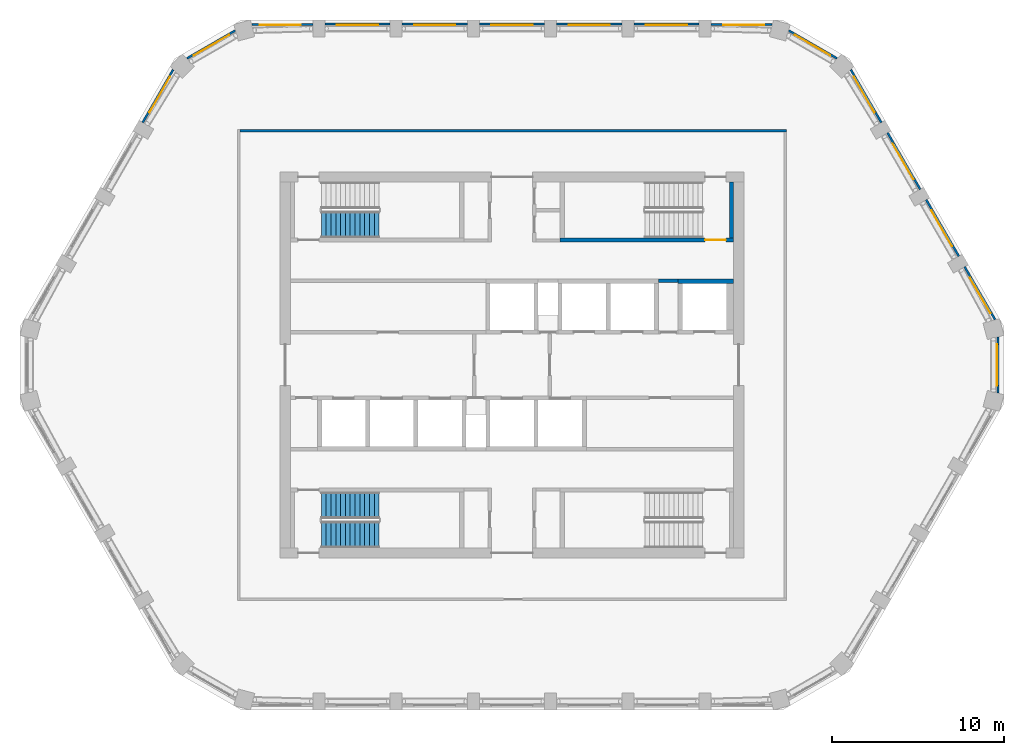
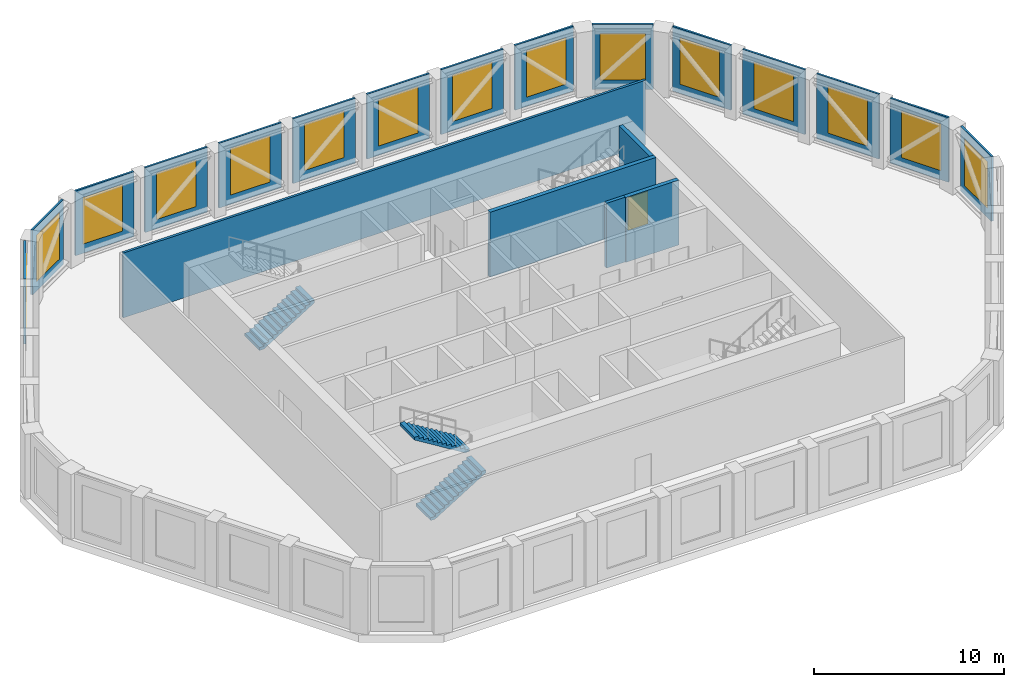
# One storey, part 6 of 14: 20 walls, 15 windows, 3 stair flights, 1 door, 16 openings, 2 elements without a shape of their own.
"""IFC4 building model written with IfcOpenShell, lengths in metres."""

from ifc_helpers import new_model, si_unit, direction, frame, frame_2d, origin, place, context, subcontext, project, spatial, polyline, rectangle, outline, extrude, material, layer, layer_set, type_object, element, fill, aggregate, save


model = new_model("IFC4")

# Units and contexts
model_context = context("Model", 3, precision=1e-05, world=origin(), true_north=direction((0.0, 1.0)))
body_context = subcontext(model_context, "Body", "Model", "MODEL_VIEW")
ifc_project = project(units=[si_unit("LENGTHUNIT", "METRE"), si_unit("AREAUNIT", "SQUARE_METRE"), si_unit("VOLUMEUNIT", "CUBIC_METRE"), si_unit("PLANEANGLEUNIT", "RADIAN"), si_unit("MASSUNIT", "GRAM", prefix="KILO")], contexts=[model_context])

# Site, building, storey
site_placement = place(None, origin())
site = spatial("IfcSite", under=ifc_project, at=site_placement, CompositionType="ELEMENT")
building_placement = place(site_placement, origin())
building = spatial("IfcBuilding", under=site, at=building_placement, Name="Dhurran Vertical Campus", CompositionType="ELEMENT")
storey_placement = place(building_placement, frame((0.0, 0.0, 282.0)))
storey = spatial("IfcBuildingStorey", under=building, at=storey_placement, Name="L70 Plant", CompositionType="ELEMENT", Elevation=282.0)

# Wall, opening, window
ifc_material_1 = material(Name="Precast concrete C50/60", Category="concrete")
ifc_layer_1 = layer(ifc_material_1, 0.1201171875)
ifc_layer_set_1 = layer_set([ifc_layer_1], Name="Precast concrete C50/60")
wall_type_1 = type_object("IfcWallType", Name="Precast louvre-bay panel 120", PredefinedType="SOLIDWALL", material=ifc_layer_set_1)
wall_1_placement = place(storey_placement, frame((28.297607421875, -1.622314453125, 0.0), z_axis=(0.0, 0.0, 1.0), x_axis=(0.0, 1.0, 0.0)))
wall_1 = element("IfcWall", 1, at=wall_1_placement, inside=storey, type_object=wall_type_1, Name="EW4 L70.12", PredefinedType="SOLIDWALL", context=body_context, shape_type="SweptSolid", body=[
    extrude(rectangle(XDim=3.24462890625, YDim=0.1201171875, at=frame_2d((1.622314453125, 0.0))), origin(), (0.0, 0.0, 1.0), 4.175048828125),
])
opening_1_placement = place(wall_1_placement, frame((0.42236328125, 0.0, 0.60009765625)))
opening_1 = element("IfcOpeningElement", 2, at=opening_1_placement, cuts=wall_1, Name="Opening WT4", PredefinedType="OPENING", context=body_context, shape_type="SweptSolid", body=[
    extrude(rectangle(XDim=2.39990234375, YDim=3.0, at=frame_2d((1.199951171875, 1.5))), frame((0.0, 0.070068359375, 0.0), z_axis=(0.0, -1.0, 0.0), x_axis=(1.0, 0.0, 0.0)), (0.0, 0.0, 1.0), 0.14013671875),
])
ifc_material_2 = material(Name="Aluminium louvre", Category="aluminium")
window_type = type_object("IfcWindowType", Name="Louvred plant vent 2400 x 3000", PartitioningType="SINGLE_PANEL", PredefinedType="WINDOW", material=ifc_material_2)
window_1_placement = place(opening_1_placement, origin())
window_1 = element("IfcWindow", 3, at=window_1_placement, inside=storey, type_object=window_type, Name="WT4 L70.12", OverallHeight=3.0, OverallWidth=2.39990234375, PartitioningType="SINGLE_PANEL", PredefinedType="WINDOW", context=body_context, shape_type="SweptSolid", body=[
    extrude(rectangle(XDim=2.39990234375, YDim=3.0, at=frame_2d((1.199951171875, 1.5))), frame((0.0, 0.06005859375, 0.0), z_axis=(0.0, -1.0, 0.0), x_axis=(1.0, 0.0, 0.0)), (0.0, 0.0, 1.0), 0.02001953125),
])
fill(opening_1, window_1)

wall_2_placement = place(storey_placement, frame((28.12890625, 2.64501953125, 0.0), z_axis=(0.0, 0.0, 1.0), x_axis=(-0.499994435258, 0.866028616566, 0.0)))
wall_2 = element("IfcWall", 4, at=wall_2_placement, inside=storey, type_object=wall_type_1, Name="EW4 L70.13", PredefinedType="SOLIDWALL", context=body_context, shape_type="SweptSolid", body=[
    extrude(rectangle(XDim=3.54833984375, YDim=0.1201171875, at=frame_2d((1.774169921875, 0.0))), origin(), (0.0, 0.0, 1.0), 4.175048828125),
])
opening_2_placement = place(wall_2_placement, frame((0.44873046875, 0.0, 0.60009765625)))
opening_2 = element("IfcOpeningElement", 5, at=opening_2_placement, cuts=wall_2, Name="Opening WT4", PredefinedType="OPENING", context=body_context, shape_type="SweptSolid", body=[
    extrude(rectangle(XDim=2.39990234375, YDim=3.0, at=frame_2d((1.199951171875, 1.5))), frame((0.0, 0.070068359375, 0.0), z_axis=(0.0, -1.0, 0.0), x_axis=(1.0, 0.0, 0.0)), (0.0, 0.0, 1.0), 0.14013671875),
])
window_2_placement = place(opening_2_placement, origin())
window_2 = element("IfcWindow", 6, at=window_2_placement, inside=storey, type_object=window_type, Name="WT4 L70.13", OverallHeight=3.0, OverallWidth=2.39990234375, PartitioningType="SINGLE_PANEL", PredefinedType="WINDOW", context=body_context, shape_type="SweptSolid", body=[
    extrude(rectangle(XDim=2.39990234375, YDim=3.0, at=frame_2d((1.199951171875, 1.5))), frame((0.0, 0.06005859375, 0.0), z_axis=(0.0, -1.0, 0.0), x_axis=(1.0, 0.0, 0.0)), (0.0, 0.0, 1.0), 0.02001953125),
])
fill(opening_2, window_2)

wall_3_placement = place(storey_placement, frame((26.0166015625, 6.332275390625, 0.0), z_axis=(0.0, 0.0, 1.0), x_axis=(-0.499982058975, 0.866035761792, 0.0)))
wall_3 = element("IfcWall", 7, at=wall_3_placement, inside=storey, type_object=wall_type_1, Name="EW4 L70.14", PredefinedType="SOLIDWALL", context=body_context, shape_type="SweptSolid", body=[
    extrude(rectangle(XDim=3.799072265625, YDim=0.1201171875, at=frame_2d((1.8994140625, 0.0))), origin(), (0.0, 0.0, 1.0), 4.175048828125),
])
opening_3_placement = place(wall_3_placement, frame((0.699462890625, 0.0, 0.60009765625)))
opening_3 = element("IfcOpeningElement", 8, at=opening_3_placement, cuts=wall_3, Name="Opening WT4", PredefinedType="OPENING", context=body_context, shape_type="SweptSolid", body=[
    extrude(rectangle(XDim=2.39990234375, YDim=3.0, at=frame_2d((1.199951171875, 1.5))), frame((0.0, 0.070068359375, 0.0), z_axis=(0.0, -1.0, 0.0), x_axis=(1.0, 0.0, 0.0)), (0.0, 0.0, 1.0), 0.14013671875),
])
window_3_placement = place(opening_3_placement, origin())
window_3 = element("IfcWindow", 9, at=window_3_placement, inside=storey, type_object=window_type, Name="WT4 L70.14", OverallHeight=3.0, OverallWidth=2.39990234375, PartitioningType="SINGLE_PANEL", PredefinedType="WINDOW", context=body_context, shape_type="SweptSolid", body=[
    extrude(rectangle(XDim=2.39990234375, YDim=3.0, at=frame_2d((1.199951171875, 1.5))), frame((0.0, 0.06005859375, 0.0), z_axis=(0.0, -1.0, 0.0), x_axis=(1.0, 0.0, 0.0)), (0.0, 0.0, 1.0), 0.02001953125),
])
fill(opening_3, window_3)

wall_4_placement = place(storey_placement, frame((23.7666015625, 10.229248046875, 0.0), z_axis=(0.0, 0.0, 1.0), x_axis=(-0.499982058975, 0.866035761792, 0.0)))
wall_4 = element("IfcWall", 10, at=wall_4_placement, inside=storey, type_object=wall_type_1, Name="EW4 L70.15", PredefinedType="SOLIDWALL", context=body_context, shape_type="SweptSolid", body=[
    extrude(rectangle(XDim=3.799072265625, YDim=0.1201171875, at=frame_2d((1.8994140625, 0.0))), origin(), (0.0, 0.0, 1.0), 4.175048828125),
])
opening_4_placement = place(wall_4_placement, frame((0.699462890625, 0.0, 0.60009765625)))
opening_4 = element("IfcOpeningElement", 11, at=opening_4_placement, cuts=wall_4, Name="Opening WT4", PredefinedType="OPENING", context=body_context, shape_type="SweptSolid", body=[
    extrude(rectangle(XDim=2.39990234375, YDim=3.0, at=frame_2d((1.199951171875, 1.5))), frame((0.0, 0.070068359375, 0.0), z_axis=(0.0, -1.0, 0.0), x_axis=(1.0, 0.0, 0.0)), (0.0, 0.0, 1.0), 0.14013671875),
])
window_4_placement = place(opening_4_placement, origin())
window_4 = element("IfcWindow", 12, at=window_4_placement, inside=storey, type_object=window_type, Name="WT4 L70.15", OverallHeight=3.0, OverallWidth=2.39990234375, PartitioningType="SINGLE_PANEL", PredefinedType="WINDOW", context=body_context, shape_type="SweptSolid", body=[
    extrude(rectangle(XDim=2.39990234375, YDim=3.0, at=frame_2d((1.199951171875, 1.5))), frame((0.0, 0.06005859375, 0.0), z_axis=(0.0, -1.0, 0.0), x_axis=(1.0, 0.0, 0.0)), (0.0, 0.0, 1.0), 0.02001953125),
])
fill(opening_4, window_4)

wall_5_placement = place(storey_placement, frame((21.504150390625, 14.119140625, 0.0), z_axis=(0.0, 0.0, 1.0), x_axis=(-0.499994435258, 0.866028616566, 0.0)))
wall_5 = element("IfcWall", 13, at=wall_5_placement, inside=storey, type_object=wall_type_1, Name="EW4 L70.16", PredefinedType="SOLIDWALL", context=body_context, shape_type="SweptSolid", body=[
    extrude(rectangle(XDim=3.54833984375, YDim=0.1201171875, at=frame_2d((1.774169921875, 0.0))), origin(), (0.0, 0.0, 1.0), 4.175048828125),
])
opening_5_placement = place(wall_5_placement, frame((0.699462890625, 0.0, 0.60009765625)))
opening_5 = element("IfcOpeningElement", 14, at=opening_5_placement, cuts=wall_5, Name="Opening WT4", PredefinedType="OPENING", context=body_context, shape_type="SweptSolid", body=[
    extrude(rectangle(XDim=2.39990234375, YDim=3.0, at=frame_2d((1.199951171875, 1.5))), frame((0.0, 0.070068359375, 0.0), z_axis=(0.0, -1.0, 0.0), x_axis=(1.0, 0.0, 0.0)), (0.0, 0.0, 1.0), 0.14013671875),
])
window_5_placement = place(opening_5_placement, origin())
window_5 = element("IfcWindow", 15, at=window_5_placement, inside=storey, type_object=window_type, Name="WT4 L70.16", OverallHeight=3.0, OverallWidth=2.39990234375, PartitioningType="SINGLE_PANEL", PredefinedType="WINDOW", context=body_context, shape_type="SweptSolid", body=[
    extrude(rectangle(XDim=2.39990234375, YDim=3.0, at=frame_2d((1.199951171875, 1.5))), frame((0.0, 0.06005859375, 0.0), z_axis=(0.0, -1.0, 0.0), x_axis=(1.0, 0.0, 0.0)), (0.0, 0.0, 1.0), 0.02001953125),
])
fill(opening_5, window_5)

wall_6_placement = place(storey_placement, frame((18.928955078125, 17.849853515625, 0.0), z_axis=(0.0, 0.0, 1.0), x_axis=(-0.866035229914, 0.499982980259, 0.0)))
wall_6 = element("IfcWall", 16, at=wall_6_placement, inside=storey, type_object=wall_type_1, Name="EW4 L70.17", PredefinedType="SOLIDWALL", context=body_context, shape_type="SweptSolid", body=[
    extrude(rectangle(XDim=3.24462890625, YDim=0.1201171875, at=frame_2d((1.622314453125, 0.0))), origin(), (0.0, 0.0, 1.0), 4.175048828125),
])
opening_6_placement = place(wall_6_placement, frame((0.42236328125, 0.0, 0.60009765625)))
opening_6 = element("IfcOpeningElement", 17, at=opening_6_placement, cuts=wall_6, Name="Opening WT4", PredefinedType="OPENING", context=body_context, shape_type="SweptSolid", body=[
    extrude(rectangle(XDim=2.39990234375, YDim=3.0, at=frame_2d((1.199951171875, 1.5))), frame((0.0, 0.070068359375, 0.0), z_axis=(0.0, -1.0, 0.0), x_axis=(1.0, 0.0, 0.0)), (0.0, 0.0, 1.0), 0.14013671875),
])
window_6_placement = place(opening_6_placement, origin())
window_6 = element("IfcWindow", 18, at=window_6_placement, inside=storey, type_object=window_type, Name="WT4 L70.17", OverallHeight=3.0, OverallWidth=2.39990234375, PartitioningType="SINGLE_PANEL", PredefinedType="WINDOW", context=body_context, shape_type="SweptSolid", body=[
    extrude(rectangle(XDim=2.39990234375, YDim=3.0, at=frame_2d((1.199951171875, 1.5))), frame((0.0, 0.06005859375, 0.0), z_axis=(0.0, -1.0, 0.0), x_axis=(1.0, 0.0, 0.0)), (0.0, 0.0, 1.0), 0.02001953125),
])
fill(opening_6, window_6)

wall_7_placement = place(storey_placement, frame((15.148681640625, 19.83740234375, 0.0), z_axis=(0.0, 0.0, 1.0), x_axis=(-1.0, 0.0, 0.0)))
wall_7 = element("IfcWall", 19, at=wall_7_placement, inside=storey, type_object=wall_type_1, Name="EW4 L70.18", PredefinedType="SOLIDWALL", context=body_context, shape_type="SweptSolid", body=[
    extrude(rectangle(XDim=3.548095703125, YDim=0.1201171875, at=frame_2d((1.77392578125, 0.0))), origin(), (0.0, 0.0, 1.0), 4.175048828125),
])
opening_7_placement = place(wall_7_placement, frame((0.44873046875, 0.0, 0.60009765625)))
opening_7 = element("IfcOpeningElement", 20, at=opening_7_placement, cuts=wall_7, Name="Opening WT4", PredefinedType="OPENING", context=body_context, shape_type="SweptSolid", body=[
    extrude(rectangle(XDim=2.39990234375, YDim=3.0, at=frame_2d((1.199951171875, 1.5))), frame((0.0, 0.070068359375, 0.0), z_axis=(0.0, -1.0, 0.0), x_axis=(1.0, 0.0, 0.0)), (0.0, 0.0, 1.0), 0.14013671875),
])
window_7_placement = place(opening_7_placement, origin())
window_7 = element("IfcWindow", 21, at=window_7_placement, inside=storey, type_object=window_type, Name="WT4 L70.18", OverallHeight=3.0, OverallWidth=2.39990234375, PartitioningType="SINGLE_PANEL", PredefinedType="WINDOW", context=body_context, shape_type="SweptSolid", body=[
    extrude(rectangle(XDim=2.39990234375, YDim=3.0, at=frame_2d((1.199951171875, 1.5))), frame((0.0, 0.06005859375, 0.0), z_axis=(0.0, -1.0, 0.0), x_axis=(1.0, 0.0, 0.0)), (0.0, 0.0, 1.0), 0.02001953125),
])
fill(opening_7, window_7)

wall_8_placement = place(storey_placement, frame((10.8994140625, 19.8515625, 0.0), z_axis=(0.0, 0.0, 1.0), x_axis=(-1.0, 0.0, 0.0)))
wall_8 = element("IfcWall", 22, at=wall_8_placement, inside=storey, type_object=wall_type_1, Name="EW4 L70.19", PredefinedType="SOLIDWALL", context=body_context, shape_type="SweptSolid", body=[
    extrude(rectangle(XDim=3.798828125, YDim=0.1201171875, at=frame_2d((1.8994140625, 0.0))), origin(), (0.0, 0.0, 1.0), 4.175048828125),
])
opening_8_placement = place(wall_8_placement, frame((0.699462890625, 0.0, 0.60009765625)))
opening_8 = element("IfcOpeningElement", 23, at=opening_8_placement, cuts=wall_8, Name="Opening WT4", PredefinedType="OPENING", context=body_context, shape_type="SweptSolid", body=[
    extrude(rectangle(XDim=2.39990234375, YDim=3.0, at=frame_2d((1.199951171875, 1.5))), frame((0.0, 0.070068359375, 0.0), z_axis=(0.0, -1.0, 0.0), x_axis=(1.0, 0.0, 0.0)), (0.0, 0.0, 1.0), 0.14013671875),
])
window_8_placement = place(opening_8_placement, origin())
window_8 = element("IfcWindow", 24, at=window_8_placement, inside=storey, type_object=window_type, Name="WT4 L70.19", OverallHeight=3.0, OverallWidth=2.39990234375, PartitioningType="SINGLE_PANEL", PredefinedType="WINDOW", context=body_context, shape_type="SweptSolid", body=[
    extrude(rectangle(XDim=2.39990234375, YDim=3.0, at=frame_2d((1.199951171875, 1.5))), frame((0.0, 0.06005859375, 0.0), z_axis=(0.0, -1.0, 0.0), x_axis=(1.0, 0.0, 0.0)), (0.0, 0.0, 1.0), 0.02001953125),
])
fill(opening_8, window_8)

wall_9_placement = place(storey_placement, frame((6.3994140625, 19.8515625, 0.0), z_axis=(0.0, 0.0, 1.0), x_axis=(-1.0, 0.0, 0.0)))
wall_9 = element("IfcWall", 25, at=wall_9_placement, inside=storey, type_object=wall_type_1, Name="EW4 L70.20", PredefinedType="SOLIDWALL", context=body_context, shape_type="SweptSolid", body=[
    extrude(rectangle(XDim=3.798828125, YDim=0.1201171875, at=frame_2d((1.8994140625, 0.0))), origin(), (0.0, 0.0, 1.0), 4.175048828125),
])
opening_9_placement = place(wall_9_placement, frame((0.699462890625, 0.0, 0.60009765625)))
opening_9 = element("IfcOpeningElement", 26, at=opening_9_placement, cuts=wall_9, Name="Opening WT4", PredefinedType="OPENING", context=body_context, shape_type="SweptSolid", body=[
    extrude(rectangle(XDim=2.39990234375, YDim=3.0, at=frame_2d((1.199951171875, 1.5))), frame((0.0, 0.070068359375, 0.0), z_axis=(0.0, -1.0, 0.0), x_axis=(1.0, 0.0, 0.0)), (0.0, 0.0, 1.0), 0.14013671875),
])
window_9_placement = place(opening_9_placement, origin())
window_9 = element("IfcWindow", 27, at=window_9_placement, inside=storey, type_object=window_type, Name="WT4 L70.20", OverallHeight=3.0, OverallWidth=2.39990234375, PartitioningType="SINGLE_PANEL", PredefinedType="WINDOW", context=body_context, shape_type="SweptSolid", body=[
    extrude(rectangle(XDim=2.39990234375, YDim=3.0, at=frame_2d((1.199951171875, 1.5))), frame((0.0, 0.06005859375, 0.0), z_axis=(0.0, -1.0, 0.0), x_axis=(1.0, 0.0, 0.0)), (0.0, 0.0, 1.0), 0.02001953125),
])
fill(opening_9, window_9)

wall_10_placement = place(storey_placement, frame((1.8994140625, 19.8515625, 0.0), z_axis=(0.0, 0.0, 1.0), x_axis=(-1.0, 0.0, 0.0)))
wall_10 = element("IfcWall", 28, at=wall_10_placement, inside=storey, type_object=wall_type_1, Name="EW4 L70.21", PredefinedType="SOLIDWALL", context=body_context, shape_type="SweptSolid", body=[
    extrude(rectangle(XDim=3.798828125, YDim=0.1201171875, at=frame_2d((1.8994140625, 0.0))), origin(), (0.0, 0.0, 1.0), 4.175048828125),
])
opening_10_placement = place(wall_10_placement, frame((0.699462890625, 0.0, 0.60009765625)))
opening_10 = element("IfcOpeningElement", 29, at=opening_10_placement, cuts=wall_10, Name="Opening WT4", PredefinedType="OPENING", context=body_context, shape_type="SweptSolid", body=[
    extrude(rectangle(XDim=2.39990234375, YDim=3.0, at=frame_2d((1.199951171875, 1.5))), frame((0.0, 0.070068359375, 0.0), z_axis=(0.0, -1.0, 0.0), x_axis=(1.0, 0.0, 0.0)), (0.0, 0.0, 1.0), 0.14013671875),
])
window_10_placement = place(opening_10_placement, origin())
window_10 = element("IfcWindow", 30, at=window_10_placement, inside=storey, type_object=window_type, Name="WT4 L70.21", OverallHeight=3.0, OverallWidth=2.39990234375, PartitioningType="SINGLE_PANEL", PredefinedType="WINDOW", context=body_context, shape_type="SweptSolid", body=[
    extrude(rectangle(XDim=2.39990234375, YDim=3.0, at=frame_2d((1.199951171875, 1.5))), frame((0.0, 0.06005859375, 0.0), z_axis=(0.0, -1.0, 0.0), x_axis=(1.0, 0.0, 0.0)), (0.0, 0.0, 1.0), 0.02001953125),
])
fill(opening_10, window_10)

wall_11_placement = place(storey_placement, frame((-2.6005859375, 19.8515625, 0.0), z_axis=(0.0, 0.0, 1.0), x_axis=(-1.0, 0.0, 0.0)))
wall_11 = element("IfcWall", 31, at=wall_11_placement, inside=storey, type_object=wall_type_1, Name="EW4 L70.22", PredefinedType="SOLIDWALL", context=body_context, shape_type="SweptSolid", body=[
    extrude(rectangle(XDim=3.798828125, YDim=0.1201171875, at=frame_2d((1.8994140625, 0.0))), origin(), (0.0, 0.0, 1.0), 4.175048828125),
])
opening_11_placement = place(wall_11_placement, frame((0.699462890625, 0.0, 0.60009765625)))
opening_11 = element("IfcOpeningElement", 32, at=opening_11_placement, cuts=wall_11, Name="Opening WT4", PredefinedType="OPENING", context=body_context, shape_type="SweptSolid", body=[
    extrude(rectangle(XDim=2.39990234375, YDim=3.0, at=frame_2d((1.199951171875, 1.5))), frame((0.0, 0.070068359375, 0.0), z_axis=(0.0, -1.0, 0.0), x_axis=(1.0, 0.0, 0.0)), (0.0, 0.0, 1.0), 0.14013671875),
])
window_11_placement = place(opening_11_placement, origin())
window_11 = element("IfcWindow", 33, at=window_11_placement, inside=storey, type_object=window_type, Name="WT4 L70.22", OverallHeight=3.0, OverallWidth=2.39990234375, PartitioningType="SINGLE_PANEL", PredefinedType="WINDOW", context=body_context, shape_type="SweptSolid", body=[
    extrude(rectangle(XDim=2.39990234375, YDim=3.0, at=frame_2d((1.199951171875, 1.5))), frame((0.0, 0.06005859375, 0.0), z_axis=(0.0, -1.0, 0.0), x_axis=(1.0, 0.0, 0.0)), (0.0, 0.0, 1.0), 0.02001953125),
])
fill(opening_11, window_11)

wall_12_placement = place(storey_placement, frame((-7.1005859375, 19.8515625, 0.0), z_axis=(0.0, 0.0, 1.0), x_axis=(-1.0, 0.0, 0.0)))
wall_12 = element("IfcWall", 34, at=wall_12_placement, inside=storey, type_object=wall_type_1, Name="EW4 L70.23", PredefinedType="SOLIDWALL", context=body_context, shape_type="SweptSolid", body=[
    extrude(rectangle(XDim=3.798828125, YDim=0.1201171875, at=frame_2d((1.8994140625, 0.0))), origin(), (0.0, 0.0, 1.0), 4.175048828125),
])
opening_12_placement = place(wall_12_placement, frame((0.699462890625, 0.0, 0.60009765625)))
opening_12 = element("IfcOpeningElement", 35, at=opening_12_placement, cuts=wall_12, Name="Opening WT4", PredefinedType="OPENING", context=body_context, shape_type="SweptSolid", body=[
    extrude(rectangle(XDim=2.39990234375, YDim=3.0, at=frame_2d((1.199951171875, 1.5))), frame((0.0, 0.070068359375, 0.0), z_axis=(0.0, -1.0, 0.0), x_axis=(1.0, 0.0, 0.0)), (0.0, 0.0, 1.0), 0.14013671875),
])
window_12_placement = place(opening_12_placement, origin())
window_12 = element("IfcWindow", 36, at=window_12_placement, inside=storey, type_object=window_type, Name="WT4 L70.23", OverallHeight=3.0, OverallWidth=2.39990234375, PartitioningType="SINGLE_PANEL", PredefinedType="WINDOW", context=body_context, shape_type="SweptSolid", body=[
    extrude(rectangle(XDim=2.39990234375, YDim=3.0, at=frame_2d((1.199951171875, 1.5))), frame((0.0, 0.06005859375, 0.0), z_axis=(0.0, -1.0, 0.0), x_axis=(1.0, 0.0, 0.0)), (0.0, 0.0, 1.0), 0.02001953125),
])
fill(opening_12, window_12)

wall_13_placement = place(storey_placement, frame((-11.6005859375, 19.83740234375, 0.0), z_axis=(0.0, 0.0, 1.0), x_axis=(-1.0, 0.0, 0.0)))
wall_13 = element("IfcWall", 37, at=wall_13_placement, inside=storey, type_object=wall_type_1, Name="EW4 L70.24", PredefinedType="SOLIDWALL", context=body_context, shape_type="SweptSolid", body=[
    extrude(rectangle(XDim=3.548095703125, YDim=0.1201171875, at=frame_2d((1.77392578125, 0.0))), origin(), (0.0, 0.0, 1.0), 4.175048828125),
])
opening_13_placement = place(wall_13_placement, frame((0.699462890625, 0.0, 0.60009765625)))
opening_13 = element("IfcOpeningElement", 38, at=opening_13_placement, cuts=wall_13, Name="Opening WT4", PredefinedType="OPENING", context=body_context, shape_type="SweptSolid", body=[
    extrude(rectangle(XDim=2.39990234375, YDim=3.0, at=frame_2d((1.199951171875, 1.5))), frame((0.0, 0.070068359375, 0.0), z_axis=(0.0, -1.0, 0.0), x_axis=(1.0, 0.0, 0.0)), (0.0, 0.0, 1.0), 0.14013671875),
])
window_13_placement = place(opening_13_placement, origin())
window_13 = element("IfcWindow", 39, at=window_13_placement, inside=storey, type_object=window_type, Name="WT4 L70.24", OverallHeight=3.0, OverallWidth=2.39990234375, PartitioningType="SINGLE_PANEL", PredefinedType="WINDOW", context=body_context, shape_type="SweptSolid", body=[
    extrude(rectangle(XDim=2.39990234375, YDim=3.0, at=frame_2d((1.199951171875, 1.5))), frame((0.0, 0.06005859375, 0.0), z_axis=(0.0, -1.0, 0.0), x_axis=(1.0, 0.0, 0.0)), (0.0, 0.0, 1.0), 0.02001953125),
])
fill(opening_13, window_13)

wall_14_placement = place(storey_placement, frame((-16.118896484375, 19.47216796875, 0.0), z_axis=(0.0, 0.0, 1.0), x_axis=(-0.866035229914, -0.499982980259, 0.0)))
wall_14 = element("IfcWall", 40, at=wall_14_placement, inside=storey, type_object=wall_type_1, Name="EW4 L70.25", PredefinedType="SOLIDWALL", context=body_context, shape_type="SweptSolid", body=[
    extrude(rectangle(XDim=3.24462890625, YDim=0.1201171875, at=frame_2d((1.622314453125, 0.0))), origin(), (0.0, 0.0, 1.0), 4.175048828125),
])
opening_14_placement = place(wall_14_placement, frame((0.42236328125, 0.0, 0.60009765625)))
opening_14 = element("IfcOpeningElement", 41, at=opening_14_placement, cuts=wall_14, Name="Opening WT4", PredefinedType="OPENING", context=body_context, shape_type="SweptSolid", body=[
    extrude(rectangle(XDim=2.39990234375, YDim=3.0, at=frame_2d((1.199951171875, 1.5))), frame((0.0, 0.070068359375, 0.0), z_axis=(0.0, -1.0, 0.0), x_axis=(1.0, 0.0, 0.0)), (0.0, 0.0, 1.0), 0.14013671875),
])
window_14_placement = place(opening_14_placement, origin())
window_14 = element("IfcWindow", 42, at=window_14_placement, inside=storey, type_object=window_type, Name="WT4 L70.25", OverallHeight=3.0, OverallWidth=2.39990234375, PartitioningType="SINGLE_PANEL", PredefinedType="WINDOW", context=body_context, shape_type="SweptSolid", body=[
    extrude(rectangle(XDim=2.39990234375, YDim=3.0, at=frame_2d((1.199951171875, 1.5))), frame((0.0, 0.06005859375, 0.0), z_axis=(0.0, -1.0, 0.0), x_axis=(1.0, 0.0, 0.0)), (0.0, 0.0, 1.0), 0.02001953125),
])
fill(opening_14, window_14)

wall_15_placement = place(storey_placement, frame((-19.72998046875, 17.192138671875, 0.0), z_axis=(0.0, 0.0, 1.0), x_axis=(-0.499994435258, -0.866028616566, 0.0)))
wall_15 = element("IfcWall", 43, at=wall_15_placement, inside=storey, type_object=wall_type_1, Name="EW4 L70.26", PredefinedType="SOLIDWALL", context=body_context, shape_type="SweptSolid", body=[
    extrude(rectangle(XDim=3.54833984375, YDim=0.1201171875, at=frame_2d((1.774169921875, 0.0))), origin(), (0.0, 0.0, 1.0), 4.175048828125),
])
opening_15_placement = place(wall_15_placement, frame((0.44873046875, 0.0, 0.60009765625)))
opening_15 = element("IfcOpeningElement", 44, at=opening_15_placement, cuts=wall_15, Name="Opening WT4", PredefinedType="OPENING", context=body_context, shape_type="SweptSolid", body=[
    extrude(rectangle(XDim=2.39990234375, YDim=3.0, at=frame_2d((1.199951171875, 1.5))), frame((0.0, 0.070068359375, 0.0), z_axis=(0.0, -1.0, 0.0), x_axis=(1.0, 0.0, 0.0)), (0.0, 0.0, 1.0), 0.14013671875),
])
window_15_placement = place(opening_15_placement, origin())
window_15 = element("IfcWindow", 45, at=window_15_placement, inside=storey, type_object=window_type, Name="WT4 L70.26", OverallHeight=3.0, OverallWidth=2.39990234375, PartitioningType="SINGLE_PANEL", PredefinedType="WINDOW", context=body_context, shape_type="SweptSolid", body=[
    extrude(rectangle(XDim=2.39990234375, YDim=3.0, at=frame_2d((1.199951171875, 1.5))), frame((0.0, 0.06005859375, 0.0), z_axis=(0.0, -1.0, 0.0), x_axis=(1.0, 0.0, 0.0)), (0.0, 0.0, 1.0), 0.02001953125),
])
fill(opening_15, window_15)

# Walls
ifc_material_3 = material(Name="Fire-rated masonry blockwork", Category="masonry")
ifc_layer_2 = layer(ifc_material_3, 0.199951171875)
ifc_layer_set_2 = layer_set([ifc_layer_2], Name="Fire-rated masonry blockwork")
wall_type_2 = type_object("IfcWallType", Name="co-FIRE-PARTITION-200", PredefinedType="PARTITIONING", material=ifc_layer_set_2)
wall_16_placement = place(storey_placement, frame((8.52490234375, 4.89990234375, 0.0), z_axis=(0.0, 0.0, 1.0), x_axis=(1.0, 0.0, 0.0)))
element("IfcWall", 46, at=wall_16_placement, inside=storey, type_object=wall_type_2, Name="Core partition fr-N2-b L70", PredefinedType="PARTITIONING", context=body_context, shape_type="SweptSolid", body=[
    extrude(rectangle(XDim=1.150146484375, YDim=0.199951171875, at=frame_2d((0.5751953125, 0.0))), origin(), (0.0, 0.0, 1.0), 4.175048828125),
])
ifc_material_4 = material(Name="Concrete C50/60", Category="concrete")
ifc_layer_3 = layer(ifc_material_4, 0.25)
ifc_layer_set_3 = layer_set([ifc_layer_3], Name="Concrete C50/60")
wall_type_3 = type_object("IfcWallType", Name="co-SHAFT-MASS-250", PredefinedType="SHEAR", material=ifc_layer_set_3)
wall_17_placement = place(storey_placement, origin())
element("IfcWall", 47, at=wall_17_placement, inside=storey, type_object=wall_type_3, Name="Lift shaft wall N L70 3", PredefinedType="SHEAR", context=body_context, shape_type="SweptSolid", body=[
    extrude(outline(polyline([(9.675048828125, 4.75), (12.89990234375, 4.75), (12.89990234375, 5.0), (9.675048828125, 5.0), (9.675048828125, 4.75)])), origin(), (0.0, 0.0, 1.0), 4.175048828125),
])

# Wall, opening, door
ifc_material_5 = material(Name="Concrete C40/50", Category="concrete")
ifc_layer_4 = layer(ifc_material_5, 0.25)
ifc_layer_set_4 = layer_set([ifc_layer_4], Name="Concrete C40/50")
wall_type_4 = type_object("IfcWallType", Name="co-STAIR-WALL-250", PredefinedType="SHEAR", material=ifc_layer_set_4)
wall_18_placement = place(storey_placement, frame((2.800048828125, 7.27490234375, 0.0), z_axis=(0.0, 0.0, 1.0), x_axis=(1.0, 0.0, 0.0)))
wall_18 = element("IfcWall", 48, at=wall_18_placement, inside=storey, type_object=wall_type_4, Name="Stair ST2 enclosure wall L70", PredefinedType="SHEAR", context=body_context, shape_type="SweptSolid", body=[
    extrude(rectangle(XDim=10.099853515625, YDim=0.25, at=frame_2d((5.0498046875, 0.0))), origin(), (0.0, 0.0, 1.0), 4.175048828125),
])
opening_16_placement = place(wall_18_placement, frame((8.449951171875, 0.0, 0.0)))
opening_16 = element("IfcOpeningElement", 49, at=opening_16_placement, cuts=wall_18, Name="Opening SD2", PredefinedType="OPENING", context=body_context, shape_type="SweptSolid", body=[
    extrude(rectangle(XDim=1.199951171875, YDim=2.10009765625, at=frame_2d((0.60009765625, 1.050048828125))), frame((0.0, 0.135009765625, 0.0), z_axis=(0.0, -1.0, 0.0), x_axis=(1.0, 0.0, 0.0)), (0.0, 0.0, 1.0), 0.27001953125),
])
ifc_material_6 = material(Name="Fire-rated steel door set", Category="steel")
door_type = type_object("IfcDoorType", Name="co-D-STAIR 1200x2100", OperationType="SINGLE_SWING_LEFT", PredefinedType="DOOR", material=ifc_material_6)
door_placement = place(opening_16_placement, origin())
door = element("IfcDoor", 50, at=door_placement, inside=storey, type_object=door_type, Name="Stair ST2 door L70", OperationType="SINGLE_SWING_LEFT", OverallHeight=2.10009765625, OverallWidth=1.199951171875, PredefinedType="DOOR", context=body_context, shape_type="SweptSolid", body=[
    extrude(rectangle(XDim=1.199951171875, YDim=2.10009765625, at=frame_2d((0.60009765625, 1.050048828125))), frame((0.0, 0.02490234375, 0.0), z_axis=(0.0, -1.0, 0.0), x_axis=(1.0, 0.0, 0.0)), (0.0, 0.0, 1.0), 0.050048828125),
])
fill(opening_16, door)

# Walls
wall_19_placement = place(storey_placement, frame((12.77490234375, 7.39990234375, 0.0), z_axis=(0.0, 0.0, 1.0), x_axis=(0.0, 1.0, 0.0)))
element("IfcWall", 51, at=wall_19_placement, inside=storey, type_object=wall_type_4, Name="Stair ST2 enclosure wall L70", PredefinedType="SHEAR", context=body_context, shape_type="SweptSolid", body=[
    extrude(rectangle(XDim=3.25, YDim=0.25, at=frame_2d((1.625, 0.0))), origin(), (0.0, 0.0, 1.0), 4.175048828125),
])
ifc_material_7 = material(Name="Gypsum board corridor wall on steel studs", Category="steel")
ifc_layer_5 = layer(ifc_material_7, 0.14990234375)
ifc_layer_set_5 = layer_set([ifc_layer_5], Name="Gypsum board corridor wall on steel studs")
wall_type_5 = type_object("IfcWallType", Name="fl-CW-150 corridor wall", PredefinedType="PARTITIONING", material=ifc_layer_set_5)
wall_20_placement = place(storey_placement, frame((15.97509765625, 13.64990234375, 0.0), z_axis=(0.0, 0.0, 1.0), x_axis=(-1.0, 0.0, 0.0)))
element("IfcWall", 52, at=wall_20_placement, inside=storey, type_object=wall_type_5, Name="Partition 70-03", PredefinedType="PARTITIONING", context=body_context, shape_type="SweptSolid", body=[
    extrude(rectangle(XDim=31.800048828125, YDim=0.14990234375, at=frame_2d((15.89990234375, 0.0))), origin(), (0.0, 0.0, 1.0), 4.175048828125),
])

# Stair, stair flight
ifc_material_8 = material(Name="Concrete C40/50", Category="concrete")
stair_type = type_object("IfcStairType", Name="co-ST-CORE", PredefinedType="HALF_TURN_STAIR", material=ifc_material_8)
stair_1_placement = place(storey_placement, origin())
stair_1 = element("IfcStair", 53, at=stair_1_placement, inside=storey, type_object=stair_type, Name="L70 Plant Protected exit stair ST1", PredefinedType="HALF_TURN_STAIR")
ifc_material_9 = material(Name="Concrete C40/50", Category="concrete")
stair_flight_type = type_object("IfcStairFlightType", Name="co-SFL-RC", PredefinedType="STRAIGHT", material=ifc_material_9)
stair_flight_1_placement = place(storey_placement, frame((-11.10009765625, 8.175048828125, 0.0), z_axis=(0.0, 0.0, 1.0), x_axis=(1.0, 0.0, 0.0)))
stair_flight_1 = element("IfcStairFlight", 54, at=stair_flight_1_placement, type_object=stair_flight_type, Name="ST1 flight 1", NumberOfRisers=13, NumberOfTreads=12, PredefinedType="STRAIGHT", RiserHeight=0.173076923, TreadLength=0.28, context=body_context, shape_type="SweptSolid", body=[
    extrude(outline(polyline([(0.0, 0.0), (0.0, 0.173095703125), (0.280029296875, 0.173095703125), (0.280029296875, 0.34619140625), (0.56005859375, 0.34619140625), (0.56005859375, 0.519287109375), (0.840087890625, 0.519287109375), (0.840087890625, 0.6923828125), (1.1201171875, 0.6923828125), (1.1201171875, 0.865478515625), (1.39990234375, 0.865478515625), (1.39990234375, 1.03857421875), (1.679931640625, 1.03857421875), (1.679931640625, 1.21142578125), (1.9599609375, 1.21142578125), (1.9599609375, 1.384521484375), (2.239990234375, 1.384521484375), (2.239990234375, 1.5576171875), (2.52001953125, 1.5576171875), (2.52001953125, 1.730712890625), (2.800048828125, 1.730712890625), (2.800048828125, 1.90380859375), (3.080078125, 1.90380859375), (3.080078125, 2.076904296875), (3.360107421875, 2.076904296875), (3.360107421875, 2.25), (3.360107421875, 1.900634765625), (0.28515625, 0.0), (0.0, 0.0)])), frame((0.0, 0.77490234375, 0.0), z_axis=(0.0, -1.0, 0.0), x_axis=(1.0, 0.0, 0.0)), (0.0, 0.0, 1.0), 1.550048828125),
])
aggregate(stair_1, [stair_flight_1])

# Stair, stair flights
stair_2_placement = place(storey_placement, origin())
stair_2 = element("IfcStair", 55, at=stair_2_placement, inside=storey, type_object=stair_type, Name="L70 Plant Protected exit stair ST3", PredefinedType="HALF_TURN_STAIR")
stair_flight_2_placement = place(storey_placement, frame((-11.10009765625, -9.875, 0.0), z_axis=(0.0, 0.0, 1.0), x_axis=(1.0, 0.0, 0.0)))
stair_flight_2 = element("IfcStairFlight", 56, at=stair_flight_2_placement, type_object=stair_flight_type, Name="ST3 flight 1", NumberOfRisers=13, NumberOfTreads=12, PredefinedType="STRAIGHT", RiserHeight=0.173076923, TreadLength=0.28, context=body_context, shape_type="SweptSolid", body=[
    extrude(outline(polyline([(0.0, 0.0), (0.0, 0.173095703125), (0.280029296875, 0.173095703125), (0.280029296875, 0.34619140625), (0.56005859375, 0.34619140625), (0.56005859375, 0.519287109375), (0.840087890625, 0.519287109375), (0.840087890625, 0.6923828125), (1.1201171875, 0.6923828125), (1.1201171875, 0.865478515625), (1.39990234375, 0.865478515625), (1.39990234375, 1.03857421875), (1.679931640625, 1.03857421875), (1.679931640625, 1.21142578125), (1.9599609375, 1.21142578125), (1.9599609375, 1.384521484375), (2.239990234375, 1.384521484375), (2.239990234375, 1.5576171875), (2.52001953125, 1.5576171875), (2.52001953125, 1.730712890625), (2.800048828125, 1.730712890625), (2.800048828125, 1.90380859375), (3.080078125, 1.90380859375), (3.080078125, 2.076904296875), (3.360107421875, 2.076904296875), (3.360107421875, 2.25), (3.360107421875, 1.900634765625), (0.28515625, 0.0), (0.0, 0.0)])), frame((0.0, 0.77490234375, 0.0), z_axis=(0.0, -1.0, 0.0), x_axis=(1.0, 0.0, 0.0)), (0.0, 0.0, 1.0), 1.550048828125),
])
stair_flight_3_placement = place(storey_placement, frame((-7.739990234375, -8.175048828125, 2.25), z_axis=(0.0, 0.0, 1.0), x_axis=(-1.0, 0.0, 0.0)))
stair_flight_3 = element("IfcStairFlight", 57, at=stair_flight_3_placement, type_object=stair_flight_type, Name="ST3 flight 2", NumberOfRisers=13, NumberOfTreads=12, PredefinedType="STRAIGHT", RiserHeight=0.173076923, TreadLength=0.28, context=body_context, shape_type="SweptSolid", body=[
    extrude(outline(polyline([(0.0, 0.0), (0.0, 0.173095703125), (0.280029296875, 0.173095703125), (0.280029296875, 0.34619140625), (0.56005859375, 0.34619140625), (0.56005859375, 0.519287109375), (0.840087890625, 0.519287109375), (0.840087890625, 0.6923828125), (1.1201171875, 0.6923828125), (1.1201171875, 0.865478515625), (1.39990234375, 0.865478515625), (1.39990234375, 1.03857421875), (1.679931640625, 1.03857421875), (1.679931640625, 1.21142578125), (1.9599609375, 1.21142578125), (1.9599609375, 1.384521484375), (2.239990234375, 1.384521484375), (2.239990234375, 1.5576171875), (2.52001953125, 1.5576171875), (2.52001953125, 1.730712890625), (2.800048828125, 1.730712890625), (2.800048828125, 1.90380859375), (3.080078125, 1.90380859375), (3.080078125, 2.076904296875), (3.360107421875, 2.076904296875), (3.360107421875, 2.25), (3.360107421875, 1.900634765625), (0.28515625, 0.0), (0.0, 0.0)])), frame((0.0, 0.77490234375, 0.0), z_axis=(0.0, -1.0, 0.0), x_axis=(1.0, 0.0, 0.0)), (0.0, 0.0, 1.0), 1.550048828125),
])
aggregate(stair_2, [stair_flight_2, stair_flight_3])

save(model, "model.ifc")
